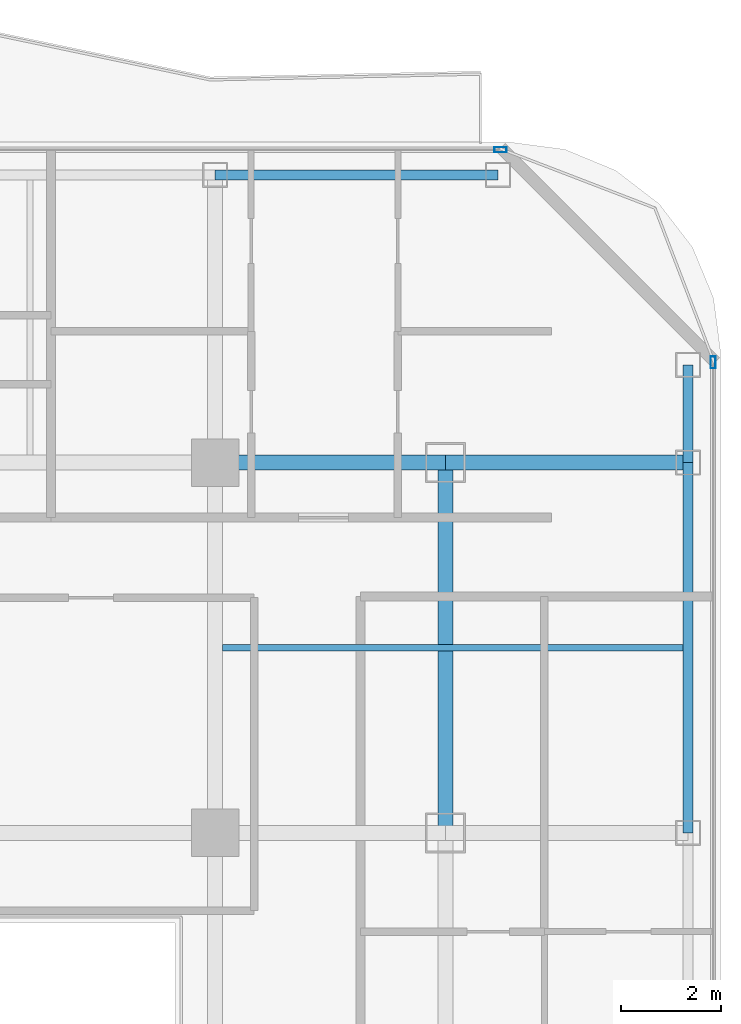
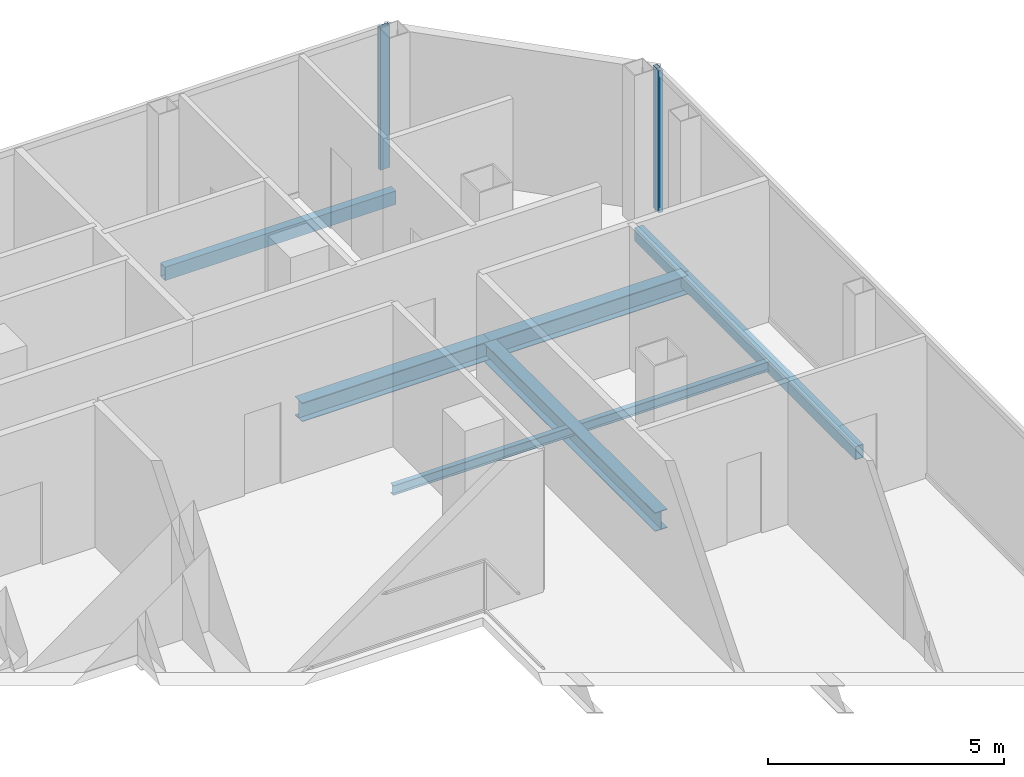
# One storey, part 14 of 23: 7 beams, 2 members, 2 elements without a shape of their own.
"""IFC4 building model written with IfcOpenShell, lengths in metres."""

from ifc_helpers import new_model, si_unit, direction, frame, origin, origin_2d, place, context, subcontext, project, spatial, hollow_rectangle, i_section, extrude, material, layer, layer_set, material_profile, profile_set, type_object, element, aggregate, save


model = new_model("IFC4")

# Units and contexts
model_context = context("Model", 3, precision=1e-05, world=origin(), true_north=direction((0.0, 1.0)))
body_context = subcontext(model_context, "Body", "Model", "MODEL_VIEW")
ifc_project = project(units=[si_unit("LENGTHUNIT", "METRE"), si_unit("AREAUNIT", "SQUARE_METRE"), si_unit("VOLUMEUNIT", "CUBIC_METRE"), si_unit("PLANEANGLEUNIT", "RADIAN"), si_unit("MASSUNIT", "GRAM", prefix="KILO")], contexts=[model_context])

# Site, building, storey
site_placement = place(None, origin())
site = spatial("IfcSite", under=ifc_project, at=site_placement, CompositionType="ELEMENT")
building_placement = place(site_placement, origin())
building = spatial("IfcBuilding", under=site, at=building_placement, Name="Khorvyn Point Tower", CompositionType="ELEMENT")
storey_placement = place(building_placement, frame((0.0, 0.0, 274.199951171875)))
storey = spatial("IfcBuildingStorey", under=building, at=storey_placement, Name="L67", CompositionType="ELEMENT", Elevation=274.199951171875)

# Curtain wall, member
ifc_material_1 = material(Name="Anodised aluminium 6063-T6 and laminated Low-E glass", Category="aluminium")
ifc_layer = layer(ifc_material_1, 0.18994140625)
ifc_layer_set = layer_set([ifc_layer], Name="Stick-Built High-Wind Curtain Wall CW-SYS-04")
curtain_wall_type = type_object("IfcCurtainWallType", Name="Stick-Built High-Wind Curtain Wall CW-SYS-04", PredefinedType="NOTDEFINED", material=ifc_layer_set)
curtain_wall_1_placement = place(storey_placement, origin())
curtain_wall_1 = element("IfcCurtainWall", 1, at=curtain_wall_1_placement, inside=storey, type_object=curtain_wall_type, Name="Curtain Wall", PredefinedType="NOTDEFINED")
ifc_material_2 = material(Name="Anodised aluminium 6063-T6", Category="aluminium")
ifc_material_profile_1 = material_profile(ifc_material_2, hollow_rectangle(XDim=0.10009765625, YDim=0.239990234375, WallThickness=0.0048828125, at=origin_2d()))
ifc_profile_set_1 = profile_set([ifc_material_profile_1], Name="Anodised aluminium 6063-T6 ALU-MUL-100x240")
member_type = type_object("IfcMemberType", Name="Anodised Aluminium 6063-T6 Mullion ALU-MUL-100x240", PredefinedType="MULLION", material=ifc_profile_set_1)
member_1_placement = place(storey_placement, frame((20.5, 21.050048828125, 0.0), z_axis=(0.0, 0.0, 1.0), x_axis=(0.0, 1.0, 0.0)))
member_1 = element("IfcMember", 2, at=member_1_placement, type_object=member_type, Name="Transom", PredefinedType="MULLION", context=body_context, shape_type="SweptSolid", body=[
    extrude(hollow_rectangle(XDim=0.10009765625, YDim=0.239990234375, WallThickness=0.0048828125, at=origin_2d()), origin(), (0.0, 0.0, 1.0), 3.679931640625),
])
aggregate(curtain_wall_1, [member_1])

curtain_wall_2_placement = place(storey_placement, origin())
curtain_wall_2 = element("IfcCurtainWall", 3, at=curtain_wall_2_placement, inside=storey, type_object=curtain_wall_type, Name="Curtain Wall", PredefinedType="NOTDEFINED")
member_2_placement = place(storey_placement, frame((24.75, 16.800048828125, 0.0), z_axis=(0.0, 0.0, 1.0), x_axis=(1.0, 0.0, 0.0)))
member_2 = element("IfcMember", 4, at=member_2_placement, type_object=member_type, Name="Transom", PredefinedType="MULLION", context=body_context, shape_type="SweptSolid", body=[
    extrude(hollow_rectangle(XDim=0.10009765625, YDim=0.239990234375, WallThickness=0.0048828125, at=origin_2d()), origin(), (0.0, 0.0, 1.0), 3.679931640625),
])
aggregate(curtain_wall_2, [member_2])

# Beams
ifc_material_3 = material(Name="Steel S355", Category="steel")
ifc_material_profile_2 = material_profile(ifc_material_3, i_section(OverallWidth=0.125, OverallDepth=0.25, WebThickness=0.006103515625, FlangeThickness=0.009033203125, at=origin_2d()))
ifc_profile_set_2 = profile_set([ifc_material_profile_2], Name="Steel S355 H250x125x6x9")
beam_type_1 = type_object("IfcBeamType", Name="Steel S355 Joist H250x125x6x9", PredefinedType="JOIST", material=ifc_profile_set_2)
beam_1_placement = place(storey_placement, frame((14.949951171875, 11.10009765625, -0.344970703125), z_axis=(1.0, 0.0, 0.0), x_axis=(0.0, 1.0, 0.0)))
element("IfcBeam", 5, at=beam_1_placement, inside=storey, type_object=beam_type_1, Name="Beam", PredefinedType="JOIST", context=body_context, shape_type="SweptSolid", body=[
    extrude(i_section(OverallWidth=0.125, OverallDepth=0.25, WebThickness=0.006103515625, FlangeThickness=0.009033203125, at=origin_2d()), origin(), (0.0, 0.0, 1.0), 9.199951171875),
])
ifc_material_profile_3 = material_profile(ifc_material_3, i_section(OverallWidth=0.300048828125, OverallDepth=0.488037109375, WebThickness=0.010986328125, FlangeThickness=0.01806640625, at=origin_2d()))
ifc_profile_set_3 = profile_set([ifc_material_profile_3], Name="Steel S355 H488x300x11x18")
beam_type_2 = type_object("IfcBeamType", Name="Steel S355 Spandrel H488x300x11x18", PredefinedType="SPANDREL", material=ifc_profile_set_3)
beam_2_placement = place(storey_placement, frame((14.800048828125, 14.800048828125, -0.4638671875), z_axis=(1.0, 0.0, 0.0), x_axis=(0.0, 1.0, 0.0)))
element("IfcBeam", 6, at=beam_2_placement, inside=storey, type_object=beam_type_2, Name="Beam", PredefinedType="SPANDREL", context=body_context, shape_type="SweptSolid", body=[
    extrude(i_section(OverallWidth=0.300048828125, OverallDepth=0.488037109375, WebThickness=0.010986328125, FlangeThickness=0.01806640625, at=origin_2d()), origin(), (0.0, 0.0, 1.0), 4.599853515625),
])
beam_3_placement = place(storey_placement, frame((19.39990234375, 14.800048828125, -0.4638671875), z_axis=(1.0, 0.0, 0.0), x_axis=(0.0, 1.0, 0.0)))
element("IfcBeam", 7, at=beam_3_placement, inside=storey, type_object=beam_type_2, Name="Beam", PredefinedType="SPANDREL", context=body_context, shape_type="SweptSolid", body=[
    extrude(i_section(OverallWidth=0.300048828125, OverallDepth=0.488037109375, WebThickness=0.010986328125, FlangeThickness=0.01806640625, at=origin_2d()), origin(), (0.0, 0.0, 1.0), 4.85009765625),
])
beam_4_placement = place(storey_placement, frame((19.39990234375, 7.39990234375, -0.4638671875), z_axis=(0.0, 1.0, 0.0), x_axis=(-1.0, 0.0, 0.0)))
element("IfcBeam", 8, at=beam_4_placement, inside=storey, type_object=beam_type_2, Name="Beam", PredefinedType="SPANDREL", context=body_context, shape_type="SweptSolid", body=[
    extrude(i_section(OverallWidth=0.300048828125, OverallDepth=0.488037109375, WebThickness=0.010986328125, FlangeThickness=0.01806640625, at=origin_2d()), origin(), (0.0, 0.0, 1.0), 7.400146484375),
])
ifc_material_profile_4 = material_profile(ifc_material_3, hollow_rectangle(XDim=0.199951171875, YDim=0.35009765625, WallThickness=0.013916015625, at=origin_2d()))
ifc_profile_set_4 = profile_set([ifc_material_profile_4], Name="Steel S355 RHS350x200x14")
beam_type_3 = type_object("IfcBeamType", Name="Steel S355 Spandrel RHS350x200x14", PredefinedType="SPANDREL", material=ifc_profile_set_4)
beam_5_placement = place(storey_placement, frame((14.800048828125, 20.550048828125, -0.39501953125), z_axis=(1.0, 0.0, 0.0), x_axis=(0.0, 1.0, 0.0)))
element("IfcBeam", 9, at=beam_5_placement, inside=storey, type_object=beam_type_3, Name="Beam", PredefinedType="SPANDREL", context=body_context, shape_type="SweptSolid", body=[
    extrude(hollow_rectangle(XDim=0.199951171875, YDim=0.35009765625, WallThickness=0.013916015625, at=origin_2d()), origin(), (0.0, 0.0, 1.0), 5.64990234375),
])
beam_6_placement = place(storey_placement, frame((24.25, 7.39990234375, -0.39501953125), z_axis=(0.0, 1.0, 0.0), x_axis=(-1.0, 0.0, 0.0)))
element("IfcBeam", 10, at=beam_6_placement, inside=storey, type_object=beam_type_3, Name="Beam", PredefinedType="SPANDREL", context=body_context, shape_type="SweptSolid", body=[
    extrude(hollow_rectangle(XDim=0.199951171875, YDim=0.35009765625, WallThickness=0.013916015625, at=origin_2d()), origin(), (0.0, 0.0, 1.0), 7.400146484375),
])
beam_7_placement = place(storey_placement, frame((24.25, 14.800048828125, -0.39501953125), z_axis=(0.0, 1.0, 0.0), x_axis=(-1.0, 0.0, 0.0)))
element("IfcBeam", 11, at=beam_7_placement, inside=storey, type_object=beam_type_3, Name="Beam", PredefinedType="SPANDREL", context=body_context, shape_type="SweptSolid", body=[
    extrude(hollow_rectangle(XDim=0.199951171875, YDim=0.35009765625, WallThickness=0.013916015625, at=origin_2d()), origin(), (0.0, 0.0, 1.0), 1.949951171875),
])

save(model, "model.ifc")
